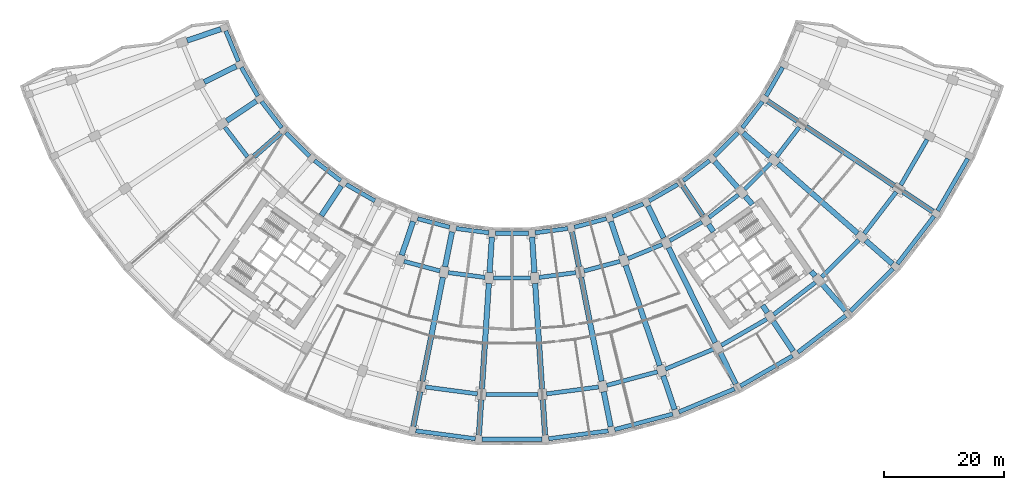
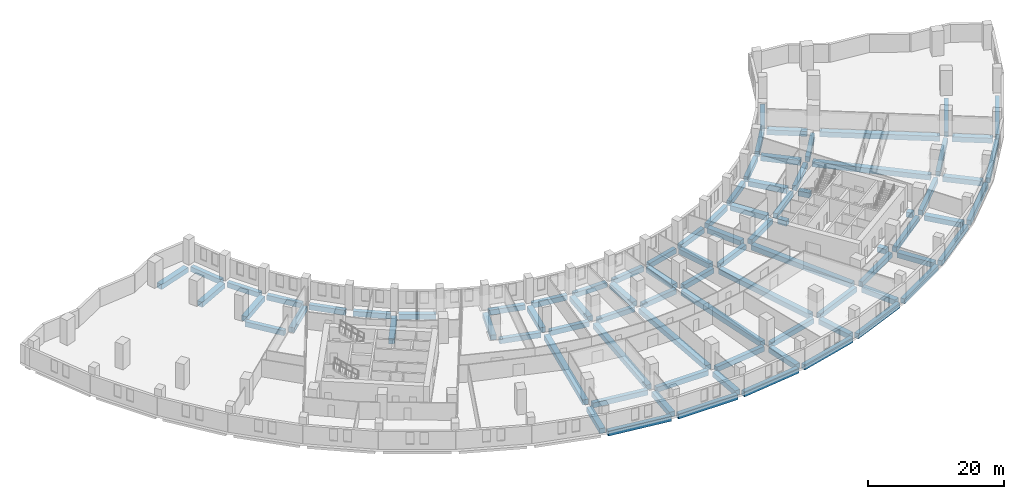
# One storey, part 2 of 20: 86 beams.
"""IFC4 building model written with IfcOpenShell, lengths in metres."""

from ifc_helpers import new_model, si_unit, direction, frame, origin, origin_2d, place, context, subcontext, project, spatial, rectangle, extrude, material, material_profile, profile_set, type_object, element, save


model = new_model("IFC4")

# Units and contexts
model_context = context("Model", 3, precision=1e-05, world=origin(), true_north=direction((0.0, 1.0)))
body_context = subcontext(model_context, "Body", "Model", "MODEL_VIEW")
ifc_project = project(units=[si_unit("LENGTHUNIT", "METRE"), si_unit("AREAUNIT", "SQUARE_METRE"), si_unit("VOLUMEUNIT", "CUBIC_METRE"), si_unit("PLANEANGLEUNIT", "RADIAN"), si_unit("MASSUNIT", "GRAM", prefix="KILO")], contexts=[model_context])

# Site, building, storey
site_placement = place(None, origin())
site = spatial("IfcSite", under=ifc_project, at=site_placement, CompositionType="ELEMENT")
building_placement = place(site_placement, origin())
building = spatial("IfcBuilding", under=site, at=building_placement, Name="Qamariyya Broadcast Tower", CompositionType="ELEMENT")
storey_placement = place(building_placement, frame((0.0, 0.0, 27.0)))
storey = spatial("IfcBuildingStorey", under=building, at=storey_placement, Name="L03", CompositionType="ELEMENT", Elevation=27.0)

# Beams
ifc_material = material(Name="Concrete C50/60", Category="concrete")
ifc_material_profile_1 = material_profile(ifc_material, rectangle(XDim=0.699951171875, YDim=0.89990234375, at=origin_2d()))
ifc_profile_set_1 = profile_set([ifc_material_profile_1], Name="Concrete C50/60")
beam_type_1 = type_object("IfcBeamType", Name="RC edge beam 700 x 900 C50/60", PredefinedType="SPANDREL", material=ifc_profile_set_1)
beam_1_placement = place(storey_placement, frame((-47.845703125, -16.822265625, -0.85009765625), z_axis=(0.382654292645, -0.92389160204, 0.0), x_axis=(0.92389160204, 0.382654292645, 0.0)))
element("IfcBeam", 1, at=beam_1_placement, inside=storey, type_object=beam_type_1, Name="Edge beam B2 L03 A R01-R02", PredefinedType="SPANDREL", context=body_context, shape_type="SweptSolid", body=[
    extrude(rectangle(XDim=0.699951171875, YDim=0.89990234375, at=origin_2d()), origin(), (0.0, 0.0, 1.0), 5.5361328125),
])
for number, where, z_axis, x_axis, name in (
    (2, (-45.24072265625, -22.923583984375, -0.85009765625), (0.500018944545, -0.86601446587, 0.0), (0.86601446587, 0.500018944545, 0.0), "Edge beam B2 L03 A R02-R03"),
    (3, (-41.861572265625, -28.632568359375, -0.85009765625), (0.60877682934, -0.793341522964, 0.0), (0.793341522964, 0.60877682934, 0.0), "Edge beam B2 L03 A R03-R04"),
):
    element("IfcBeam", number, at=place(storey_placement, frame(where, z_axis=z_axis, x_axis=x_axis)), inside=storey, type_object=beam_type_1, Name=name, PredefinedType="SPANDREL", context=body_context, shape_type="SweptSolid", body=[
        extrude(rectangle(XDim=0.699951171875, YDim=0.89990234375, at=origin_2d()), origin(), (0.0, 0.0, 1.0), 5.535888671875),
    ])
beam_2_placement = place(storey_placement, frame((-37.76611328125, -33.8515625, -0.85009765625), z_axis=(0.707106781187, -0.707106781187, 0.0), x_axis=(0.707106781187, 0.707106781187, 0.0)))
element("IfcBeam", 4, at=beam_2_placement, inside=storey, type_object=beam_type_1, Name="Edge beam B2 L03 A R04-R05", PredefinedType="SPANDREL", context=body_context, shape_type="SweptSolid", body=[
    extrude(rectangle(XDim=0.699951171875, YDim=0.89990234375, at=origin_2d()), origin(), (0.0, 0.0, 1.0), 5.5361328125),
])
for number, where, z_axis, x_axis, name in (
    (5, (-33.0244140625, -38.491455078125, -0.85009765625), (0.793341522964, -0.60877682934, 0.0), (0.60877682934, 0.793341522964, 0.0), "Edge beam B2 L03 A R05-R06"),
    (6, (-27.7177734375, -42.47265625, -0.85009765625), (0.86601446587, -0.500018944545, 0.0), (0.500018944545, 0.86601446587, 0.0), "Edge beam B2 L03 A R06-R07"),
    (7, (-15.78076171875, -48.199462890625, -0.85009765625), (0.965935650788, -0.25878237679, 0.0), (0.25878237679, 0.965935650788, 0.0), "Edge beam B2 L03 A R08-R09"),
    (8, (-9.354248046875, -49.8466796875, -0.85009765625), (0.991443033841, -0.130540072958, 0.0), (0.130540072958, 0.991443033841, 0.0), "Edge beam B2 L03 A R09-R10"),
):
    element("IfcBeam", number, at=place(storey_placement, frame(where, z_axis=z_axis, x_axis=x_axis)), inside=storey, type_object=beam_type_1, Name=name, PredefinedType="SPANDREL", context=body_context, shape_type="SweptSolid", body=[
        extrude(rectangle(XDim=0.699951171875, YDim=0.89990234375, at=origin_2d()), origin(), (0.0, 0.0, 1.0), 5.535888671875),
    ])
beam_3_placement = place(storey_placement, frame((-2.76806640625, -50.641357421875, -0.85009765625), z_axis=(1.0, 0.0, 0.0), x_axis=(0.0, 1.0, 0.0)))
element("IfcBeam", 9, at=beam_3_placement, inside=storey, type_object=beam_type_1, Name="Edge beam B2 L03 A R10-R11", PredefinedType="SPANDREL", context=body_context, shape_type="SweptSolid", body=[
    extrude(rectangle(XDim=0.699951171875, YDim=0.89990234375, at=origin_2d()), origin(), (0.0, 0.0, 1.0), 5.5361328125),
])
for number, where, z_axis, x_axis, name in (
    (10, (3.86572265625, -50.5693359375, -0.85009765625), (0.991443033841, 0.130540072958, 0.0), (-0.130540072958, 0.991443033841, 0.0), "Edge beam B2 L03 A R11-R12"),
    (11, (10.433349609375, -49.632080078125, -0.85009765625), (0.965935650788, 0.25878237679, 0.0), (-0.25878237679, 0.965935650788, 0.0), "Edge beam B2 L03 A R12-R13"),
):
    element("IfcBeam", number, at=place(storey_placement, frame(where, z_axis=z_axis, x_axis=x_axis)), inside=storey, type_object=beam_type_1, Name=name, PredefinedType="SPANDREL", context=body_context, shape_type="SweptSolid", body=[
        extrude(rectangle(XDim=0.699951171875, YDim=0.89990234375, at=origin_2d()), origin(), (0.0, 0.0, 1.0), 5.535888671875),
    ])
beam_4_placement = place(storey_placement, frame((16.822265625, -47.845703125, -0.85009765625), z_axis=(0.92389160204, 0.382654292645, 0.0), x_axis=(-0.382654292645, 0.92389160204, 0.0)))
element("IfcBeam", 12, at=beam_4_placement, inside=storey, type_object=beam_type_1, Name="Edge beam B2 L03 A R13-R14", PredefinedType="SPANDREL", context=body_context, shape_type="SweptSolid", body=[
    extrude(rectangle(XDim=0.699951171875, YDim=0.89990234375, at=origin_2d()), origin(), (0.0, 0.0, 1.0), 5.5361328125),
])
for number, where, z_axis, x_axis, name in (
    (13, (22.923583984375, -45.24072265625, -0.85009765625), (0.86601446587, 0.500018944545, 0.0), (-0.500018944545, 0.86601446587, 0.0), "Edge beam B2 L03 A R14-R15"),
    (14, (28.632568359375, -41.861572265625, -0.85009765625), (0.793341522964, 0.60877682934, 0.0), (-0.60877682934, 0.793341522964, 0.0), "Edge beam B2 L03 A R15-R16"),
):
    element("IfcBeam", number, at=place(storey_placement, frame(where, z_axis=z_axis, x_axis=x_axis)), inside=storey, type_object=beam_type_1, Name=name, PredefinedType="SPANDREL", context=body_context, shape_type="SweptSolid", body=[
        extrude(rectangle(XDim=0.699951171875, YDim=0.89990234375, at=origin_2d()), origin(), (0.0, 0.0, 1.0), 5.535888671875),
    ])
beam_5_placement = place(storey_placement, frame((33.8515625, -37.76611328125, -0.85009765625), z_axis=(0.707106781187, 0.707106781187, 0.0), x_axis=(-0.707106781187, 0.707106781187, 0.0)))
element("IfcBeam", 15, at=beam_5_placement, inside=storey, type_object=beam_type_1, Name="Edge beam B2 L03 A R16-R17", PredefinedType="SPANDREL", context=body_context, shape_type="SweptSolid", body=[
    extrude(rectangle(XDim=0.699951171875, YDim=0.89990234375, at=origin_2d()), origin(), (0.0, 0.0, 1.0), 5.5361328125),
])
for number, where, z_axis, x_axis, name in (
    (16, (38.491455078125, -33.0244140625, -0.85009765625), (0.60877682934, 0.793341522964, 0.0), (-0.793341522964, 0.60877682934, 0.0), "Edge beam B2 L03 A R17-R18"),
    (17, (42.47265625, -27.7177734375, -0.85009765625), (0.500018944545, 0.86601446587, 0.0), (-0.86601446587, 0.500018944545, 0.0), "Edge beam B2 L03 A R18-R19"),
):
    element("IfcBeam", number, at=place(storey_placement, frame(where, z_axis=z_axis, x_axis=x_axis)), inside=storey, type_object=beam_type_1, Name=name, PredefinedType="SPANDREL", context=body_context, shape_type="SweptSolid", body=[
        extrude(rectangle(XDim=0.699951171875, YDim=0.89990234375, at=origin_2d()), origin(), (0.0, 0.0, 1.0), 5.535888671875),
    ])
for number, where, z_axis, x_axis, name in (
    (18, (-48.006103515625, -32.91845703125, -0.85009765625), (0.608767052878, -0.793349024913, 0.0), (0.793349024913, 0.608767052878, 0.0), "Edge beam B2 L03 B R03-R04"),
    (19, (-18.046142578125, -55.34033203125, -0.85009765625), (0.965927891917, -0.258811335952, 0.0), (0.258811335952, 0.965927891917, 0.0), "Edge beam B2 L03 B R08-R09"),
    (20, (-10.66845703125, -57.222412109375, -0.85009765625), (0.991447744331, -0.130504292114, 0.0), (0.130504292114, 0.991447744331, 0.0), "Edge beam B2 L03 B R09-R10"),
):
    element("IfcBeam", number, at=place(storey_placement, frame(where, z_axis=z_axis, x_axis=x_axis)), inside=storey, type_object=beam_type_1, Name=name, PredefinedType="SPANDREL", context=body_context, shape_type="SweptSolid", body=[
        extrude(rectangle(XDim=0.699951171875, YDim=0.89990234375, at=origin_2d()), origin(), (0.0, 0.0, 1.0), 6.216552734375),
    ])
beam_6_placement = place(storey_placement, frame((-3.108154296875, -58.125244140625, -0.85009765625), z_axis=(1.0, 0.0, 0.0), x_axis=(0.0, 1.0, 0.0)))
element("IfcBeam", 21, at=beam_6_placement, inside=storey, type_object=beam_type_1, Name="Edge beam B2 L03 B R10-R11", PredefinedType="SPANDREL", context=body_context, shape_type="SweptSolid", body=[
    extrude(rectangle(XDim=0.699951171875, YDim=0.89990234375, at=origin_2d()), origin(), (0.0, 0.0, 1.0), 6.21630859375),
])
for number, where, z_axis, x_axis, name in (
    (22, (4.505126953125, -58.03369140625, -0.85009765625), (0.991447744331, 0.130504292114, 0.0), (-0.130504292114, 0.991447744331, 0.0), "Edge beam B2 L03 B R11-R12"),
    (23, (12.04150390625, -56.94921875, -0.85009765625), (0.965927891917, 0.258811335952, 0.0), (-0.258811335952, 0.965927891917, 0.0), "Edge beam B2 L03 B R12-R13"),
):
    element("IfcBeam", number, at=place(storey_placement, frame(where, z_axis=z_axis, x_axis=x_axis)), inside=storey, type_object=beam_type_1, Name=name, PredefinedType="SPANDREL", context=body_context, shape_type="SweptSolid", body=[
        extrude(rectangle(XDim=0.699951171875, YDim=0.89990234375, at=origin_2d()), origin(), (0.0, 0.0, 1.0), 6.216552734375),
    ])
for number, where, z_axis, x_axis, name in (
    (24, (19.3720703125, -54.89013671875, -0.85009765625), (0.92387897489, 0.38268477858, 0.0), (-0.38268477858, 0.92387897489, 0.0), "Edge beam B2 L03 B R13-R14"),
    (25, (26.370849609375, -51.89208984375, -0.85009765625), (0.86602796805, 0.499995558535, 0.0), (-0.499995558535, 0.86602796805, 0.0), "Edge beam B2 L03 B R14-R15"),
):
    element("IfcBeam", number, at=place(storey_placement, frame(where, z_axis=z_axis, x_axis=x_axis)), inside=storey, type_object=beam_type_1, Name=name, PredefinedType="SPANDREL", context=body_context, shape_type="SweptSolid", body=[
        extrude(rectangle(XDim=0.699951171875, YDim=0.89990234375, at=origin_2d()), origin(), (0.0, 0.0, 1.0), 6.21630859375),
    ])
for number, where, z_axis, x_axis, name in (
    (26, (32.91845703125, -48.006103515625, -0.85009765625), (0.793349024913, 0.608767052878, 0.0), (-0.608767052878, 0.793349024913, 0.0), "Edge beam B2 L03 B R15-R16"),
    (27, (38.90283203125, -43.298583984375, -0.85009765625), (0.707106781187, 0.707106781187, 0.0), (-0.707106781187, 0.707106781187, 0.0), "Edge beam B2 L03 B R16-R17"),
    (28, (44.2216796875, -37.850341796875, -0.85009765625), (0.608767052878, 0.793349024913, 0.0), (-0.793349024913, 0.608767052878, 0.0), "Edge beam B2 L03 B R17-R18"),
):
    element("IfcBeam", number, at=place(storey_placement, frame(where, z_axis=z_axis, x_axis=x_axis)), inside=storey, type_object=beam_type_1, Name=name, PredefinedType="SPANDREL", context=body_context, shape_type="SweptSolid", body=[
        extrude(rectangle(XDim=0.699951171875, YDim=0.89990234375, at=origin_2d()), origin(), (0.0, 0.0, 1.0), 6.216552734375),
    ])
for number, where, z_axis, x_axis, name in (
    (29, (-14.47265625, -76.34765625, -0.85009765625), (0.991445668121, -0.130520064222, 0.0), (0.130520064222, 0.991445668121, 0.0), "Edge beam B2 L03 C R09-R10"),
    (30, (-4.383544921875, -77.58349609375, -0.85009765625), (1.0, 0.0, 0.0), (0.0, 1.0, 0.0), "Edge beam B2 L03 C R10-R11"),
    (31, (5.780517578125, -77.491943359375, -0.85009765625), (0.991445668121, 0.130520064222, 0.0), (-0.130520064222, 0.991445668121, 0.0), "Edge beam B2 L03 C R11-R12"),
    (32, (15.845947265625, -76.074462890625, -0.85009765625), (0.965926422845, 0.258816818714, 0.0), (-0.258816818714, 0.965926422845, 0.0), "Edge beam B2 L03 C R12-R13"),
    (33, (25.64013671875, -73.35546875, -0.85009765625), (0.923869185896, 0.38270841035, 0.0), (-0.38270841035, 0.923869185896, 0.0), "Edge beam B2 L03 C R13-R14"),
):
    element("IfcBeam", number, at=place(storey_placement, frame(where, z_axis=z_axis, x_axis=x_axis)), inside=storey, type_object=beam_type_1, Name=name, PredefinedType="SPANDREL", context=body_context, shape_type="SweptSolid", body=[
        extrude(rectangle(XDim=0.699951171875, YDim=0.89990234375, at=origin_2d()), origin(), (0.0, 0.0, 1.0), 8.76708984375),
    ])
beam_7_placement = place(storey_placement, frame((34.995361328125, -69.381103515625, -0.85009765625), z_axis=(0.86603255856, 0.499987607361, 0.0), x_axis=(-0.499987607361, 0.86603255856, 0.0)))
element("IfcBeam", 34, at=beam_7_placement, inside=storey, type_object=beam_type_1, Name="Edge beam B2 L03 C R14-R15", PredefinedType="SPANDREL", context=body_context, shape_type="SweptSolid", body=[
    extrude(rectangle(XDim=0.699951171875, YDim=0.89990234375, at=origin_2d()), origin(), (0.0, 0.0, 1.0), 8.767333984375),
])
for number, where, z_axis, x_axis, name in (
    (35, (43.752197265625, -64.2197265625, -0.85009765625), (0.79334498231, 0.608772321187, 0.0), (-0.608772321187, 0.79334498231, 0.0), "Edge beam B2 L03 C R15-R16"),
    (36, (51.76025390625, -57.95947265625, -0.85009765625), (0.707106781187, 0.707106781187, 0.0), (-0.707106781187, 0.707106781187, 0.0), "Edge beam B2 L03 C R16-R17"),
    (37, (58.882568359375, -50.70751953125, -0.85009765625), (0.608772321187, 0.79334498231, 0.0), (-0.79334498231, 0.608772321187, 0.0), "Edge beam B2 L03 C R17-R18"),
):
    element("IfcBeam", number, at=place(storey_placement, frame(where, z_axis=z_axis, x_axis=x_axis)), inside=storey, type_object=beam_type_1, Name=name, PredefinedType="SPANDREL", context=body_context, shape_type="SweptSolid", body=[
        extrude(rectangle(XDim=0.699951171875, YDim=0.89990234375, at=origin_2d()), origin(), (0.0, 0.0, 1.0), 8.76708984375),
    ])
beam_8_placement = place(storey_placement, frame((64.99755859375, -42.588134765625, -0.85009765625), z_axis=(0.499987607361, 0.86603255856, 0.0), x_axis=(-0.86603255856, 0.499987607361, 0.0)))
element("IfcBeam", 38, at=beam_8_placement, inside=storey, type_object=beam_type_1, Name="Edge beam B2 L03 C R18-R19", PredefinedType="SPANDREL", context=body_context, shape_type="SweptSolid", body=[
    extrude(rectangle(XDim=0.699951171875, YDim=0.89990234375, at=origin_2d()), origin(), (0.0, 0.0, 1.0), 8.767333984375),
])
for number, where, z_axis, x_axis, name in (
    (39, (-16.0849609375, -83.683837890625, -0.85009765625), (0.991443211053, -0.130538727039, 0.0), (0.130538727039, 0.991443211053, 0.0), "Edge beam B2 L03 D R09-R10"),
    (40, (-5.0244140625, -85.0673828125, -0.85009765625), (1.0, 0.0, 0.0), (0.0, 1.0, 0.0), "Edge beam B2 L03 D R10-R11"),
    (41, (6.1220703125, -84.99560546875, -0.85009765625), (0.991443211053, 0.130538727039, 0.0), (-0.130538727039, 0.991443211053, 0.0), "Edge beam B2 L03 D R11-R12"),
    (42, (17.163818359375, -83.46923828125, -0.85009765625), (0.96592657939, 0.258816234475, 0.0), (-0.258816234475, 0.96592657939, 0.0), "Edge beam B2 L03 D R12-R13"),
    (43, (27.911865234375, -80.514892578125, -0.85009765625), (0.923882101991, 0.382677229034, 0.0), (-0.382677229034, 0.923882101991, 0.0), "Edge beam B2 L03 D R13-R14"),
    (44, (38.182373046875, -76.182861328125, -0.85009765625), (0.866027799164, 0.499995851058, 0.0), (-0.499995851058, 0.866027799164, 0.0), "Edge beam B2 L03 D R14-R15"),
):
    element("IfcBeam", number, at=place(storey_placement, frame(where, z_axis=z_axis, x_axis=x_axis)), inside=storey, type_object=beam_type_1, Name=name, PredefinedType="SPANDREL", context=body_context, shape_type="SweptSolid", body=[
        extrude(rectangle(XDim=0.699951171875, YDim=0.89990234375, at=origin_2d()), origin(), (0.0, 0.0, 1.0), 10.048828125),
    ])
for number, where, z_axis, x_axis, name in (
    (45, (47.799560546875, -70.54736328125, -0.85009765625), (0.793354077072, 0.608760468816, 0.0), (-0.608760468816, 0.793354077072, 0.0), "Edge beam B2 L03 D R15-R16"),
    (46, (56.598876953125, -63.70458984375, -0.85009765625), (0.707106781187, 0.707106781187, 0.0), (-0.707106781187, 0.707106781187, 0.0), "Edge beam B2 L03 D R16-R17"),
    (47, (64.429931640625, -55.77197265625, -0.85009765625), (0.608760468816, 0.793354077072, 0.0), (-0.793354077072, 0.608760468816, 0.0), "Edge beam B2 L03 D R17-R18"),
):
    element("IfcBeam", number, at=place(storey_placement, frame(where, z_axis=z_axis, x_axis=x_axis)), inside=storey, type_object=beam_type_1, Name=name, PredefinedType="SPANDREL", context=body_context, shape_type="SweptSolid", body=[
        extrude(rectangle(XDim=0.699951171875, YDim=0.89990234375, at=origin_2d()), origin(), (0.0, 0.0, 1.0), 10.049072265625),
    ])
beam_9_placement = place(storey_placement, frame((71.158447265625, -46.885009765625, -0.85009765625), z_axis=(0.499995851058, 0.866027799164, 0.0), x_axis=(-0.866027799164, 0.499995851058, 0.0)))
element("IfcBeam", 48, at=beam_9_placement, inside=storey, type_object=beam_type_1, Name="Edge beam B2 L03 D R18-R19", PredefinedType="SPANDREL", context=body_context, shape_type="SweptSolid", body=[
    extrude(rectangle(XDim=0.699951171875, YDim=0.89990234375, at=origin_2d()), origin(), (0.0, 0.0, 1.0), 10.048828125),
])
ifc_material_profile_2 = material_profile(ifc_material, rectangle(XDim=0.89990234375, YDim=0.89990234375, at=origin_2d()))
ifc_profile_set_2 = profile_set([ifc_material_profile_2], Name="Concrete C50/60")
beam_type_2 = type_object("IfcBeamType", Name="RC radial beam 900 x 900 C50/60", PredefinedType="BEAM", material=ifc_profile_set_2)
beam_10_placement = place(storey_placement, frame((-48.672119140625, -16.52197265625, -0.85009765625), z_axis=(-0.946929197619, -0.32144221051, 0.0), x_axis=(0.32144221051, -0.946929197619, 0.0)))
element("IfcBeam", 49, at=beam_10_placement, inside=storey, type_object=beam_type_2, Name="Radial beam B1 L03 R01 A-B", PredefinedType="BEAM", context=body_context, shape_type="SweptSolid", body=[
    extrude(rectangle(XDim=0.89990234375, YDim=0.89990234375, at=origin_2d()), origin(), (0.0, 0.0, 1.0), 5.949951171875),
])
beam_11_placement = place(storey_placement, frame((-46.099365234375, -22.733642578125, -0.85009765625), z_axis=(-0.896867525941, -0.442299266236, 0.0), x_axis=(0.442299266236, -0.896867525941, 0.0)))
element("IfcBeam", 50, at=beam_11_placement, inside=storey, type_object=beam_type_2, Name="Radial beam B1 L03 R02 A-B", PredefinedType="BEAM", context=body_context, shape_type="SweptSolid", body=[
    extrude(rectangle(XDim=0.89990234375, YDim=0.89990234375, at=origin_2d()), origin(), (0.0, 0.0, 1.0), 5.94970703125),
])
for number, where, z_axis, x_axis, name in (
    (51, (-42.737548828125, -28.556396484375, -0.85009765625), (-0.831469080044, -0.555571029599, 0.0), (0.555571029599, -0.831469080044, 0.0), "Radial beam B1 L03 R03 A-B"),
    (52, (-38.64453125, -33.890380859375, -0.85009765625), (-0.751836547498, -0.659349532377, 0.0), (0.659349532377, -0.751836547498, 0.0), "Radial beam B1 L03 R04 A-B"),
    (53, (-28.556396484375, -42.737548828125, -0.85009765625), (-0.555571029599, -0.831469080044, 0.0), (0.831469080044, -0.555571029599, 0.0), "Radial beam B1 L03 R06 A-B"),
    (54, (-16.52197265625, -48.672119140625, -0.85009765625), (-0.32144221051, -0.946929197619, 0.0), (0.946929197619, -0.32144221051, 0.0), "Radial beam B1 L03 R08 A-B"),
    (55, (-10.027587890625, -50.412353515625, -0.85009765625), (-0.195106018553, -0.980782158037, 0.0), (0.980782158037, -0.195106018553, 0.0), "Radial beam B1 L03 R09 A-B"),
):
    element("IfcBeam", number, at=place(storey_placement, frame(where, z_axis=z_axis, x_axis=x_axis)), inside=storey, type_object=beam_type_2, Name=name, PredefinedType="BEAM", context=body_context, shape_type="SweptSolid", body=[
        extrude(rectangle(XDim=0.89990234375, YDim=0.89990234375, at=origin_2d()), origin(), (0.0, 0.0, 1.0), 5.949951171875),
    ])
beam_12_placement = place(storey_placement, frame((-11.53955078125, -58.013427734375, -0.85009765625), z_axis=(-0.195092142495, -0.980784918286, 0.0), x_axis=(0.980784918286, -0.195092142495, 0.0)))
element("IfcBeam", 56, at=beam_12_placement, inside=storey, type_object=beam_type_2, Name="Radial beam B1 L03 R09 B-C", PredefinedType="BEAM", context=body_context, shape_type="SweptSolid", body=[
    extrude(rectangle(XDim=0.89990234375, YDim=0.89990234375, at=origin_2d()), origin(), (0.0, 0.0, 1.0), 17.699951171875),
])
for number, where, z_axis, x_axis, name in (
    (57, (-15.34375, -77.138671875, -0.85009765625), (-0.195106018553, -0.980782158037, 0.0), (0.980782158037, -0.195106018553, 0.0), "Radial beam B1 L03 R09 C-D"),
    (58, (-3.36181640625, -51.2900390625, -0.85009765625), (-0.065405111908, -0.997858793285, 0.0), (0.997858793285, -0.065405111908, 0.0), "Radial beam B1 L03 R10 A-B"),
):
    element("IfcBeam", number, at=place(storey_placement, frame(where, z_axis=z_axis, x_axis=x_axis)), inside=storey, type_object=beam_type_2, Name=name, PredefinedType="BEAM", context=body_context, shape_type="SweptSolid", body=[
        extrude(rectangle(XDim=0.89990234375, YDim=0.89990234375, at=origin_2d()), origin(), (0.0, 0.0, 1.0), 5.949951171875),
    ])
beam_13_placement = place(storey_placement, frame((-3.86865234375, -59.0234375, -0.85009765625), z_axis=(-0.065393841107, -0.997859531971, 0.0), x_axis=(0.997859531971, -0.065393841107, 0.0)))
element("IfcBeam", 59, at=beam_13_placement, inside=storey, type_object=beam_type_2, Name="Radial beam B1 L03 R10 B-C", PredefinedType="BEAM", context=body_context, shape_type="SweptSolid", body=[
    extrude(rectangle(XDim=0.89990234375, YDim=0.89990234375, at=origin_2d()), origin(), (0.0, 0.0, 1.0), 17.699951171875),
])
for number, where, z_axis, x_axis, name in (
    (60, (-5.14404296875, -78.481689453125, -0.85009765625), (-0.065405111908, -0.997858793285, 0.0), (0.997858793285, -0.065405111908, 0.0), "Radial beam B1 L03 R10 C-D"),
    (61, (3.36181640625, -51.2900390625, -0.85009765625), (0.065405111908, -0.997858793285, 0.0), (0.997858793285, 0.065405111908, 0.0), "Radial beam B1 L03 R11 A-B"),
):
    element("IfcBeam", number, at=place(storey_placement, frame(where, z_axis=z_axis, x_axis=x_axis)), inside=storey, type_object=beam_type_2, Name=name, PredefinedType="BEAM", context=body_context, shape_type="SweptSolid", body=[
        extrude(rectangle(XDim=0.89990234375, YDim=0.89990234375, at=origin_2d()), origin(), (0.0, 0.0, 1.0), 5.949951171875),
    ])
beam_14_placement = place(storey_placement, frame((3.86865234375, -59.0234375, -0.85009765625), z_axis=(0.065393841107, -0.997859531971, 0.0), x_axis=(0.997859531971, 0.065393841107, 0.0)))
element("IfcBeam", 62, at=beam_14_placement, inside=storey, type_object=beam_type_2, Name="Radial beam B1 L03 R11 B-C", PredefinedType="BEAM", context=body_context, shape_type="SweptSolid", body=[
    extrude(rectangle(XDim=0.89990234375, YDim=0.89990234375, at=origin_2d()), origin(), (0.0, 0.0, 1.0), 17.699951171875),
])
for number, where, z_axis, x_axis, name in (
    (63, (5.14404296875, -78.481689453125, -0.85009765625), (0.065405111908, -0.997858793285, 0.0), (0.997858793285, 0.065405111908, 0.0), "Radial beam B1 L03 R11 C-D"),
    (64, (10.027587890625, -50.412353515625, -0.85009765625), (0.195106018553, -0.980782158037, 0.0), (0.980782158037, 0.195106018553, 0.0), "Radial beam B1 L03 R12 A-B"),
):
    element("IfcBeam", number, at=place(storey_placement, frame(where, z_axis=z_axis, x_axis=x_axis)), inside=storey, type_object=beam_type_2, Name=name, PredefinedType="BEAM", context=body_context, shape_type="SweptSolid", body=[
        extrude(rectangle(XDim=0.89990234375, YDim=0.89990234375, at=origin_2d()), origin(), (0.0, 0.0, 1.0), 5.949951171875),
    ])
beam_15_placement = place(storey_placement, frame((11.53955078125, -58.013427734375, -0.85009765625), z_axis=(0.195092142495, -0.980784918286, 0.0), x_axis=(0.980784918286, 0.195092142495, 0.0)))
element("IfcBeam", 65, at=beam_15_placement, inside=storey, type_object=beam_type_2, Name="Radial beam B1 L03 R12 B-C", PredefinedType="BEAM", context=body_context, shape_type="SweptSolid", body=[
    extrude(rectangle(XDim=0.89990234375, YDim=0.89990234375, at=origin_2d()), origin(), (0.0, 0.0, 1.0), 17.699951171875),
])
for number, where, z_axis, x_axis, name in (
    (66, (15.34375, -77.138671875, -0.85009765625), (0.195106018553, -0.980782158037, 0.0), (0.980782158037, 0.195106018553, 0.0), "Radial beam B1 L03 R12 C-D"),
    (67, (16.52197265625, -48.672119140625, -0.85009765625), (0.32144221051, -0.946929197619, 0.0), (0.946929197619, 0.32144221051, 0.0), "Radial beam B1 L03 R13 A-B"),
):
    element("IfcBeam", number, at=place(storey_placement, frame(where, z_axis=z_axis, x_axis=x_axis)), inside=storey, type_object=beam_type_2, Name=name, PredefinedType="BEAM", context=body_context, shape_type="SweptSolid", body=[
        extrude(rectangle(XDim=0.89990234375, YDim=0.89990234375, at=origin_2d()), origin(), (0.0, 0.0, 1.0), 5.949951171875),
    ])
beam_16_placement = place(storey_placement, frame((19.01318359375, -56.010986328125, -0.85009765625), z_axis=(0.321441019674, -0.946929601856, 0.0), x_axis=(0.946929601856, 0.321441019674, 0.0)))
element("IfcBeam", 68, at=beam_16_placement, inside=storey, type_object=beam_type_2, Name="Radial beam B1 L03 R13 B-C", PredefinedType="BEAM", context=body_context, shape_type="SweptSolid", body=[
    extrude(rectangle(XDim=0.89990234375, YDim=0.89990234375, at=origin_2d()), origin(), (0.0, 0.0, 1.0), 17.699951171875),
])
beam_17_placement = place(storey_placement, frame((25.28125, -74.47607421875, -0.85009765625), z_axis=(0.32144221051, -0.946929197619, 0.0), x_axis=(0.946929197619, 0.32144221051, 0.0)))
element("IfcBeam", 69, at=beam_17_placement, inside=storey, type_object=beam_type_2, Name="Radial beam B1 L03 R13 C-D", PredefinedType="BEAM", context=body_context, shape_type="SweptSolid", body=[
    extrude(rectangle(XDim=0.89990234375, YDim=0.89990234375, at=origin_2d()), origin(), (0.0, 0.0, 1.0), 5.949951171875),
])
beam_18_placement = place(storey_placement, frame((22.733642578125, -46.099365234375, -0.85009765625), z_axis=(0.442299266236, -0.896867525941, 0.0), x_axis=(0.896867525941, 0.442299266236, 0.0)))
element("IfcBeam", 70, at=beam_18_placement, inside=storey, type_object=beam_type_2, Name="Radial beam B1 L03 R14 A-B", PredefinedType="BEAM", context=body_context, shape_type="SweptSolid", body=[
    extrude(rectangle(XDim=0.89990234375, YDim=0.89990234375, at=origin_2d()), origin(), (0.0, 0.0, 1.0), 5.94970703125),
])
beam_19_placement = place(storey_placement, frame((26.161376953125, -53.050048828125, -0.85009765625), z_axis=(0.442296435771, -0.896868921808, 0.0), x_axis=(0.896868921808, 0.442296435771, 0.0)))
element("IfcBeam", 71, at=beam_19_placement, inside=storey, type_object=beam_type_2, Name="Radial beam B1 L03 R14 B-C", PredefinedType="BEAM", context=body_context, shape_type="SweptSolid", body=[
    extrude(rectangle(XDim=0.89990234375, YDim=0.89990234375, at=origin_2d()), origin(), (0.0, 0.0, 1.0), 17.699951171875),
])
beam_20_placement = place(storey_placement, frame((34.785888671875, -70.5390625, -0.85009765625), z_axis=(0.442315994054, -0.896859276255, 0.0), x_axis=(0.896859276255, 0.442315994054, 0.0)))
element("IfcBeam", 72, at=beam_20_placement, inside=storey, type_object=beam_type_2, Name="Radial beam B1 L03 R14 C-D", PredefinedType="BEAM", context=body_context, shape_type="SweptSolid", body=[
    extrude(rectangle(XDim=0.89990234375, YDim=0.89990234375, at=origin_2d()), origin(), (0.0, 0.0, 1.0), 5.9501953125),
])
beam_21_placement = place(storey_placement, frame((28.556396484375, -42.737548828125, -0.85009765625), z_axis=(0.555571029599, -0.831469080044, 0.0), x_axis=(0.831469080044, 0.555571029599, 0.0)))
element("IfcBeam", 73, at=beam_21_placement, inside=storey, type_object=beam_type_2, Name="Radial beam B1 L03 R15 A-B", PredefinedType="BEAM", context=body_context, shape_type="SweptSolid", body=[
    extrude(rectangle(XDim=0.89990234375, YDim=0.89990234375, at=origin_2d()), origin(), (0.0, 0.0, 1.0), 5.949951171875),
])
beam_22_placement = place(storey_placement, frame((32.862060546875, -49.181396484375, -0.85009765625), z_axis=(0.555469378272, -0.831536992443, 0.0), x_axis=(0.831536992443, 0.555469378272, 0.0)))
element("IfcBeam", 74, at=beam_22_placement, inside=storey, type_object=beam_type_2, Name="Radial beam B1 L03 R15 B-C", PredefinedType="BEAM", context=body_context, shape_type="SweptSolid", body=[
    extrude(rectangle(XDim=0.89990234375, YDim=0.89990234375, at=origin_2d()), origin(), (0.0, 0.0, 1.0), 1.464599609375),
])
beam_23_placement = place(storey_placement, frame((41.89990234375, -62.707763671875, -0.85009765625), z_axis=(0.555604740558, -0.831446554067, 0.0), x_axis=(0.831446554067, 0.555604740558, 0.0)))
element("IfcBeam", 75, at=beam_23_placement, inside=storey, type_object=beam_type_2, Name="Radial beam B1 L03 R15 B-C", PredefinedType="BEAM", context=body_context, shape_type="SweptSolid", body=[
    extrude(rectangle(XDim=0.89990234375, YDim=0.89990234375, at=origin_2d()), origin(), (0.0, 0.0, 1.0), 1.43212890625),
])
for number, where, z_axis, x_axis, name in (
    (76, (43.695556640625, -65.39501953125, -0.85009765625), (0.555571029599, -0.831469080044, 0.0), (0.831469080044, 0.555571029599, 0.0), "Radial beam B1 L03 R15 C-D"),
    (77, (33.890380859375, -38.64453125, -0.85009765625), (0.659349532377, -0.751836547498, 0.0), (0.751836547498, 0.659349532377, 0.0), "Radial beam B1 L03 R16 A-B"),
):
    element("IfcBeam", number, at=place(storey_placement, frame(where, z_axis=z_axis, x_axis=x_axis)), inside=storey, type_object=beam_type_2, Name=name, PredefinedType="BEAM", context=body_context, shape_type="SweptSolid", body=[
        extrude(rectangle(XDim=0.89990234375, YDim=0.89990234375, at=origin_2d()), origin(), (0.0, 0.0, 1.0), 5.949951171875),
    ])
beam_24_placement = place(storey_placement, frame((39.000244140625, -44.471435546875, -0.85009765625), z_axis=(0.65939107141, -0.751800116351, 0.0), x_axis=(0.751800116351, 0.65939107141, 0.0)))
element("IfcBeam", 78, at=beam_24_placement, inside=storey, type_object=beam_type_2, Name="Radial beam B1 L03 R16 B-C", PredefinedType="BEAM", context=body_context, shape_type="SweptSolid", body=[
    extrude(rectangle(XDim=0.89990234375, YDim=0.89990234375, at=origin_2d()), origin(), (0.0, 0.0, 1.0), 1.8125),
])
beam_25_placement = place(storey_placement, frame((50.011962890625, -57.027587890625, -0.85009765625), z_axis=(0.659282746956, -0.751895112077, 0.0), x_axis=(0.751895112077, 0.659282746956, 0.0)))
element("IfcBeam", 79, at=beam_25_placement, inside=storey, type_object=beam_type_2, Name="Radial beam B1 L03 R16 B-C", PredefinedType="BEAM", context=body_context, shape_type="SweptSolid", body=[
    extrude(rectangle(XDim=0.89990234375, YDim=0.89990234375, at=origin_2d()), origin(), (0.0, 0.0, 1.0), 0.9990234375),
])
beam_26_placement = place(storey_placement, frame((51.857666015625, -59.132080078125, -0.85009765625), z_axis=(0.659329192059, -0.75185438517, 0.0), x_axis=(0.75185438517, 0.659329192059, 0.0)))
element("IfcBeam", 80, at=beam_26_placement, inside=storey, type_object=beam_type_2, Name="Radial beam B1 L03 R16 C-D", PredefinedType="BEAM", context=body_context, shape_type="SweptSolid", body=[
    extrude(rectangle(XDim=0.89990234375, YDim=0.89990234375, at=origin_2d()), origin(), (0.0, 0.0, 1.0), 5.9501953125),
])
beam_27_placement = place(storey_placement, frame((38.64453125, -33.890380859375, -0.85009765625), z_axis=(0.751836547498, -0.659349532377, 0.0), x_axis=(0.659349532377, 0.751836547498, 0.0)))
element("IfcBeam", 81, at=beam_27_placement, inside=storey, type_object=beam_type_2, Name="Radial beam B1 L03 R17 A-B", PredefinedType="BEAM", context=body_context, shape_type="SweptSolid", body=[
    extrude(rectangle(XDim=0.89990234375, YDim=0.89990234375, at=origin_2d()), origin(), (0.0, 0.0, 1.0), 5.949951171875),
])
beam_28_placement = place(storey_placement, frame((44.471435546875, -39.000244140625, -0.85009765625), z_axis=(0.751835404461, -0.659350835746, 0.0), x_axis=(0.659350835746, 0.751835404461, 0.0)))
element("IfcBeam", 82, at=beam_28_placement, inside=storey, type_object=beam_type_2, Name="Radial beam B1 L03 R17 B-C", PredefinedType="BEAM", context=body_context, shape_type="SweptSolid", body=[
    extrude(rectangle(XDim=0.89990234375, YDim=0.89990234375, at=origin_2d()), origin(), (0.0, 0.0, 1.0), 17.699951171875),
])
beam_29_placement = place(storey_placement, frame((59.132080078125, -51.857666015625, -0.85009765625), z_axis=(0.75185438517, -0.659329192059, 0.0), x_axis=(0.659329192059, 0.75185438517, 0.0)))
element("IfcBeam", 83, at=beam_29_placement, inside=storey, type_object=beam_type_2, Name="Radial beam B1 L03 R17 C-D", PredefinedType="BEAM", context=body_context, shape_type="SweptSolid", body=[
    extrude(rectangle(XDim=0.89990234375, YDim=0.89990234375, at=origin_2d()), origin(), (0.0, 0.0, 1.0), 5.9501953125),
])
beam_30_placement = place(storey_placement, frame((42.737548828125, -28.556396484375, -0.85009765625), z_axis=(0.831469080044, -0.555571029599, 0.0), x_axis=(0.555571029599, 0.831469080044, 0.0)))
element("IfcBeam", 84, at=beam_30_placement, inside=storey, type_object=beam_type_2, Name="Radial beam B1 L03 R18 A-B", PredefinedType="BEAM", context=body_context, shape_type="SweptSolid", body=[
    extrude(rectangle(XDim=0.89990234375, YDim=0.89990234375, at=origin_2d()), origin(), (0.0, 0.0, 1.0), 5.949951171875),
])
beam_31_placement = place(storey_placement, frame((49.181396484375, -32.862060546875, -0.85009765625), z_axis=(0.831472648212, -0.555565689433, 0.0), x_axis=(0.555565689433, 0.831472648212, 0.0)))
element("IfcBeam", 85, at=beam_31_placement, inside=storey, type_object=beam_type_2, Name="Radial beam B1 L03 R18 B-C", PredefinedType="BEAM", context=body_context, shape_type="SweptSolid", body=[
    extrude(rectangle(XDim=0.89990234375, YDim=0.89990234375, at=origin_2d()), origin(), (0.0, 0.0, 1.0), 17.699951171875),
])
beam_32_placement = place(storey_placement, frame((65.39501953125, -43.695556640625, -0.85009765625), z_axis=(0.831469080044, -0.555571029599, 0.0), x_axis=(0.555571029599, 0.831469080044, 0.0)))
element("IfcBeam", 86, at=beam_32_placement, inside=storey, type_object=beam_type_2, Name="Radial beam B1 L03 R18 C-D", PredefinedType="BEAM", context=body_context, shape_type="SweptSolid", body=[
    extrude(rectangle(XDim=0.89990234375, YDim=0.89990234375, at=origin_2d()), origin(), (0.0, 0.0, 1.0), 5.949951171875),
])

save(model, "model.ifc")
